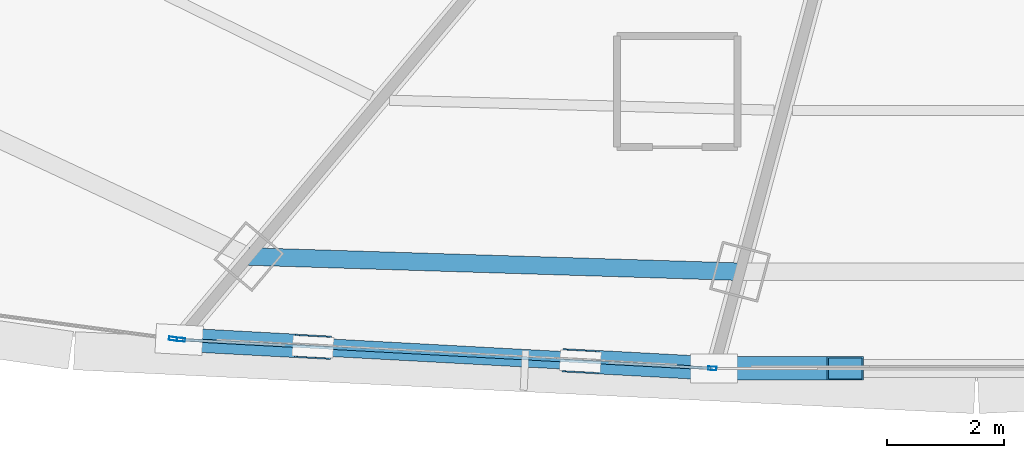
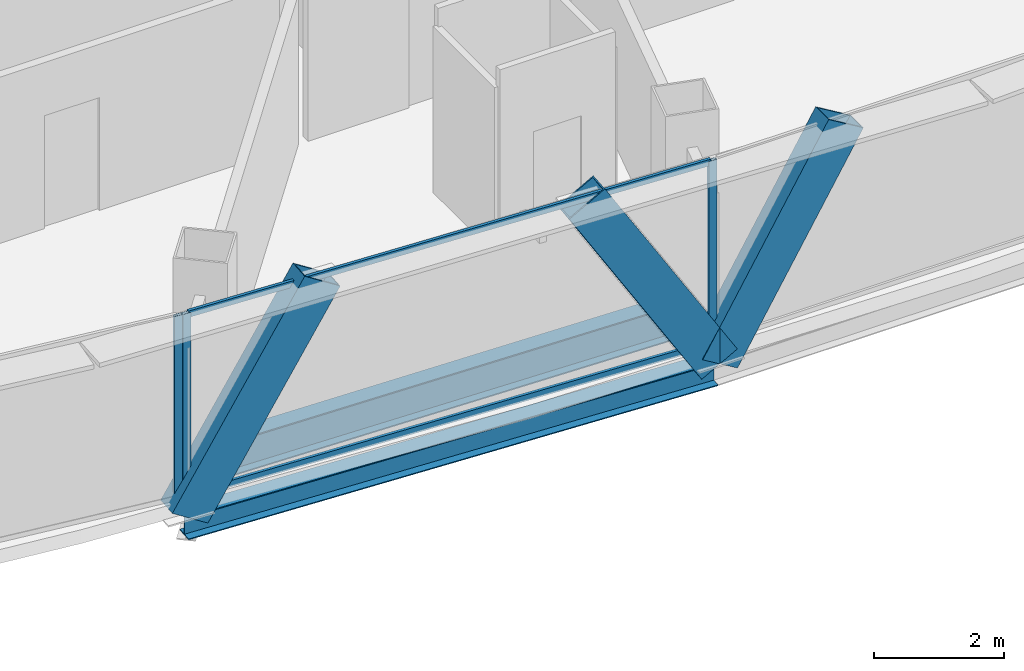
# One storey, part 6 of 37: 8 members, 2 beams, 2 elements without a shape of their own.
"""IFC4 building model written with IfcOpenShell, lengths in metres."""

from ifc_helpers import new_model, si_unit, direction, frame, origin, origin_2d, place, context, subcontext, project, spatial, hollow_rectangle, i_section, extrude, source, transform, mapped, material, layer, layer_set, material_profile, profile_set, type_object, element, aggregate, save


model = new_model("IFC4")

# Units and contexts
model_context = context("Model", 3, precision=1e-05, world=origin(), true_north=direction((0.0, 1.0)))
body_context = subcontext(model_context, "Body", "Model", "MODEL_VIEW")
ifc_project = project(units=[si_unit("LENGTHUNIT", "METRE"), si_unit("AREAUNIT", "SQUARE_METRE"), si_unit("VOLUMEUNIT", "CUBIC_METRE"), si_unit("PLANEANGLEUNIT", "RADIAN"), si_unit("MASSUNIT", "GRAM", prefix="KILO"), si_unit("THERMODYNAMICTEMPERATUREUNIT", "KELVIN"), si_unit("POWERUNIT", "WATT")], contexts=[model_context])

# Site, building, storey
site_placement = place(None, origin())
site = spatial("IfcSite", under=ifc_project, at=site_placement, CompositionType="ELEMENT")
building_placement = place(site_placement, origin())
building = spatial("IfcBuilding", under=site, at=building_placement, Name="Yunzhuo Pagoda Commons", CompositionType="ELEMENT")
storey_placement = place(building_placement, frame((0.0, 0.0, 255.719970703125)))
storey = spatial("IfcBuildingStorey", under=building, at=storey_placement, Name="L64", CompositionType="ELEMENT", Elevation=255.719970703125)

# Beams
ifc_material_1 = material(Name="Structural steel Q355B", Category="steel")
ifc_material_profile_1 = material_profile(ifc_material_1, i_section(OverallWidth=0.300048828125, OverallDepth=0.64990234375, WebThickness=0.012939453125, FlangeThickness=0.02197265625, at=origin_2d()), Name="Structural steel Q355B")
ifc_profile_set_1 = profile_set([ifc_material_profile_1], Name="Structural steel Q355B")
beam_type_1 = type_object("IfcBeamType", Name="B-RG2 Beam HN 650x300x13x22", PredefinedType="BEAM", material=ifc_profile_set_1)
shared_shape_1 = source(origin(), body_context, "Body", "SweptSolid", [
    extrude(i_section(OverallWidth=0.300048828125, OverallDepth=0.64990234375, WebThickness=0.012939453125, FlangeThickness=0.02197265625, at=origin_2d()), origin(), (0.0, 0.0, 1.0), 8.37939453125),
])
beam_1_placement = place(storey_placement, frame((35.593017578125, 18.913818359375, -0.5849609375), z_axis=(0.999519382133, -0.031000076447, 0.0), x_axis=(0.031000076447, 0.999519382133, 0.0)))
element("IfcBeam", 1, at=beam_1_placement, inside=storey, type_object=beam_type_1, Name="L64 column-ring beam 1", PredefinedType="BEAM", context=body_context, shape_type="MappedRepresentation", body=[
    mapped(shared_shape_1, transform((0.0, 0.0, 0.0), scale=1.0)),
])
ifc_material_profile_2 = material_profile(ifc_material_1, i_section(OverallWidth=0.300048828125, OverallDepth=0.43994140625, WebThickness=0.010986328125, FlangeThickness=0.01806640625, at=origin_2d()), Name="Structural steel Q355B")
ifc_profile_set_2 = profile_set([ifc_material_profile_2], Name="Structural steel Q355B")
beam_type_2 = type_object("IfcBeamType", Name="B-SP2 Beam HM 440x300x11x18", PredefinedType="BEAM", material=ifc_profile_set_2)
shared_shape_2 = source(origin(), body_context, "Body", "SweptSolid", [
    extrude(i_section(OverallWidth=0.300048828125, OverallDepth=0.43994140625, WebThickness=0.010986328125, FlangeThickness=0.01806640625, at=origin_2d()), origin(), (0.0, 0.0, 1.0), 9.13525390625),
])
beam_2_placement = place(storey_placement, frame((34.404541015625, 17.49755859375, -0.47998046875), z_axis=(0.99854316853, -0.053958693286, 0.0), x_axis=(0.053958693286, 0.99854316853, 0.0)))
element("IfcBeam", 2, at=beam_2_placement, inside=storey, type_object=beam_type_2, Name="L64 facade edge spandrel beam F1.1", PredefinedType="BEAM", context=body_context, shape_type="MappedRepresentation", body=[
    mapped(shared_shape_2, transform((0.0, 0.0, 0.0), scale=1.0)),
])

# Members
ifc_material_profile_3 = material_profile(ifc_material_1, hollow_rectangle(XDim=0.39990234375, YDim=0.719970703125, WallThickness=0.02392578125, at=origin_2d()), Name="Structural steel Q355B")
ifc_profile_set_3 = profile_set([ifc_material_profile_3], Name="Structural steel Q355B")
member_type_1 = type_object("IfcMemberType", Name="M-DL2 Brace BOX 720x400x24", PredefinedType="BRACE", material=ifc_profile_set_3)
shared_shape_3 = source(origin(), body_context, "Body", "SweptSolid", [
    extrude(hollow_rectangle(XDim=0.39990234375, YDim=0.719970703125, WallThickness=0.02392578125, at=origin_2d()), origin(), (0.0, 0.0, 1.0), 4.37353515625),
])
for number, where, z_axis, x_axis, name in (
    (3, (34.404541015625, 17.49755859375, -0.260009765625), (0.521423404962, -0.028189574939, 0.852832328552), (0.053983900233, 0.998541806093, 0.0), "L64 facade diamond brace F1.1L"),
    (4, (43.5263671875, 17.004638671875, -0.260009765625), (-0.521423404962, 0.028189574939, 0.852832328552), (-0.053983900233, -0.998541806093, 0.0), "L64 facade diamond brace F1.1R"),
):
    element("IfcMember", number, at=place(storey_placement, frame(where, z_axis=z_axis, x_axis=x_axis)), inside=storey, type_object=member_type_1, Name=name, PredefinedType="BRACE", context=body_context, shape_type="MappedRepresentation", body=[
        mapped(shared_shape_3, transform((0.0, 0.0, 0.0), scale=1.0)),
    ])
shared_shape_4 = source(origin(), body_context, "Body", "SweptSolid", [
    extrude(hollow_rectangle(XDim=0.39990234375, YDim=0.719970703125, WallThickness=0.02392578125, at=origin_2d()), origin(), (0.0, 0.0, 1.0), 4.349365234375),
])
member_1_placement = place(storey_placement, frame((43.5263671875, 17.004638671875, -0.260009765625), z_axis=(0.514297622499, 0.0, 0.857611774343), x_axis=(0.0, 1.0, 0.0)))
element("IfcMember", 5, at=member_1_placement, inside=storey, type_object=member_type_1, Name="L64 facade diamond brace F1.2L", PredefinedType="BRACE", context=body_context, shape_type="MappedRepresentation", body=[
    mapped(shared_shape_4, transform((0.0, 0.0, 0.0), scale=1.0)),
])

# Curtain wall, members
ifc_material_2 = material(Name="Anodized aluminium 6063-T6", Category="aluminium")
ifc_layer = layer(ifc_material_2, 0.139892578125)
ifc_layer_set = layer_set([ifc_layer], Name="Anodized aluminium 6063-T6")
curtain_wall_type = type_object("IfcCurtainWallType", Name="CW-HI High-Zone Ribbon Curtain Wall", PredefinedType="NOTDEFINED", material=ifc_layer_set)
curtain_wall_1_placement = place(storey_placement, origin())
curtain_wall_1 = element("IfcCurtainWall", 6, at=curtain_wall_1_placement, inside=storey, type_object=curtain_wall_type, Name="L64 curtain wall CW-L64-F1B2", PredefinedType="NOTDEFINED")
ifc_material_profile_4 = material_profile(ifc_material_2, hollow_rectangle(XDim=0.06005859375, YDim=0.139892578125, WallThickness=0.00341796875, at=origin_2d()), Name="Anodized aluminium 6063-T6")
ifc_profile_set_4 = profile_set([ifc_material_profile_4], Name="Anodized aluminium 6063-T6")
member_type_2 = type_object("IfcMemberType", Name="CW-HI-M Mullion RHS 140x60x3.5", PredefinedType="MULLION", material=ifc_profile_set_4)
shared_shape_5 = source(origin(), body_context, "Body", "SweptSolid", [
    extrude(hollow_rectangle(XDim=0.06005859375, YDim=0.139892578125, WallThickness=0.00341796875, at=origin_2d()), origin(), (0.0, 0.0, 1.0), 3.469970703125),
])
member_2_placement = place(storey_placement, frame((34.4345703125, 17.495849609375, 0.0), z_axis=(0.0, 0.0, 1.0), x_axis=(0.053988827702, 0.998541539688, 0.0)))
member_2 = element("IfcMember", 7, at=member_2_placement, type_object=member_type_2, Name="CW mullion 1", PredefinedType="MULLION", context=body_context, shape_type="MappedRepresentation", body=[
    mapped(shared_shape_5, transform((0.0, 0.0, 0.0), scale=1.0)),
])
member_3_placement = place(storey_placement, frame((43.496337890625, 17.005859375, 0.0), z_axis=(0.0, 0.0, 1.0), x_axis=(0.053988827702, 0.998541539688, 0.0)))
member_3 = element("IfcMember", 8, at=member_3_placement, type_object=member_type_2, Name="CW mullion 2", PredefinedType="MULLION", context=body_context, shape_type="MappedRepresentation", body=[
    mapped(shared_shape_5, transform((0.0, 0.0, 0.0), scale=1.0)),
])

# Curtain wall, member
curtain_wall_2_placement = place(storey_placement, origin())
curtain_wall_2 = element("IfcCurtainWall", 9, at=curtain_wall_2_placement, inside=storey, type_object=curtain_wall_type, Name="L64 curtain wall CW-L64-F1B1", PredefinedType="NOTDEFINED")
member_4_placement = place(storey_placement, frame((34.300537109375, 17.511474609375, 0.0), z_axis=(0.0, 0.0, 1.0), x_axis=(0.132663916926, 0.991161079314, 0.0)))
member_4 = element("IfcMember", 10, at=member_4_placement, type_object=member_type_2, Name="CW mullion 2", PredefinedType="MULLION", context=body_context, shape_type="MappedRepresentation", body=[
    mapped(shared_shape_5, transform((0.0, 0.0, 0.0), scale=1.0)),
])
aggregate(curtain_wall_2, [member_4])

# Member
ifc_material_profile_5 = material_profile(ifc_material_2, hollow_rectangle(XDim=0.054931640625, YDim=0.1201171875, WallThickness=0.00341796875, at=origin_2d()), Name="Anodized aluminium 6063-T6")
ifc_profile_set_5 = profile_set([ifc_material_profile_5], Name="Anodized aluminium 6063-T6")
member_type_3 = type_object("IfcMemberType", Name="CW-HI-T Transom RHS 120x55x3.5", PredefinedType="USERDEFINED", material=ifc_profile_set_5)
shared_shape_6 = source(origin(), body_context, "Body", "SweptSolid", [
    extrude(hollow_rectangle(XDim=0.054931640625, YDim=0.1201171875, WallThickness=0.00341796875, at=origin_2d()), origin(), (0.0, 0.0, 1.0), 9.01513671875),
])
member_5_placement = place(storey_placement, frame((34.464599609375, 17.494140625, 0.027587890625), z_axis=(0.99854239162, -0.053973068629, 0.0), x_axis=(0.053973068629, 0.99854239162, 0.0)))
member_5 = element("IfcMember", 11, at=member_5_placement, type_object=member_type_3, Name="CW transom 1.1", ObjectType="TRANSOM", PredefinedType="USERDEFINED", context=body_context, shape_type="MappedRepresentation", body=[
    mapped(shared_shape_6, transform((0.0, 0.0, 0.0), scale=1.0)),
])

member_6_placement = place(storey_placement, frame((34.464599609375, 17.494140625, 3.442626953125), z_axis=(0.99854239162, -0.053973068629, 0.0), x_axis=(0.053973068629, 0.99854239162, 0.0)))
member_6 = element("IfcMember", 12, at=member_6_placement, type_object=member_type_3, Name="CW transom 1.2", ObjectType="TRANSOM", PredefinedType="USERDEFINED", context=body_context, shape_type="MappedRepresentation", body=[
    mapped(shared_shape_6, transform((0.0, 0.0, 0.0), scale=1.0)),
])

aggregate(curtain_wall_1, [member_2, member_3, member_5, member_6])

save(model, "model.ifc")
